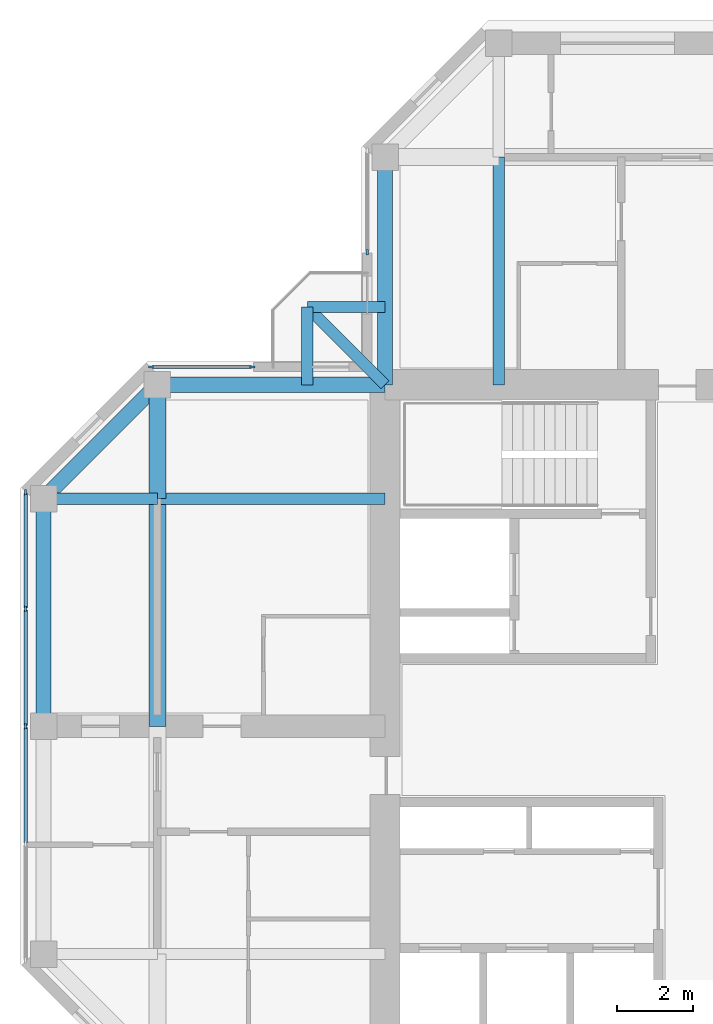
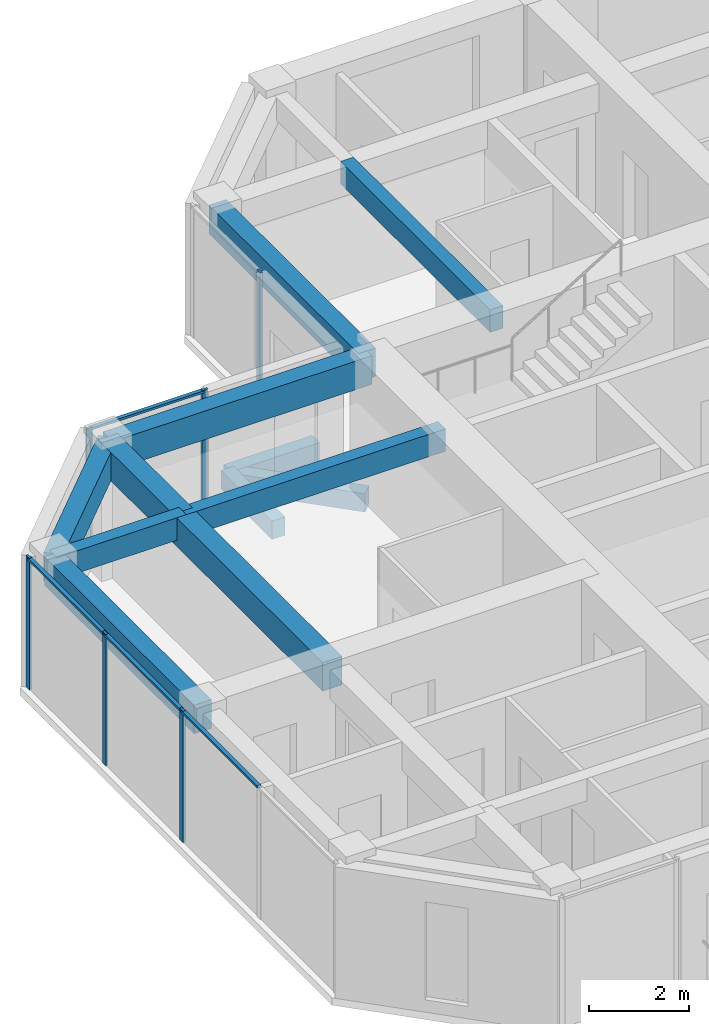
# One storey, part 4 of 13: 12 beams, 10 members, 3 elements without a shape of their own.
"""IFC4 building model written with IfcOpenShell, lengths in metres."""

from ifc_helpers import new_model, si_unit, direction, frame, origin, origin_2d, place, context, subcontext, project, spatial, rectangle, extrude, material, material_profile, profile_set, type_object, element, aggregate, save


model = new_model("IFC4")

# Units and contexts
model_context = context("Model", 3, precision=1e-05, world=origin(), true_north=direction((0.0, 1.0)))
body_context = subcontext(model_context, "Body", "Model", "MODEL_VIEW")
ifc_project = project(units=[si_unit("LENGTHUNIT", "METRE"), si_unit("AREAUNIT", "SQUARE_METRE"), si_unit("VOLUMEUNIT", "CUBIC_METRE"), si_unit("PLANEANGLEUNIT", "RADIAN"), si_unit("MASSUNIT", "GRAM", prefix="KILO")], contexts=[model_context])

# Site, building, storey
site_placement = place(None, origin())
site = spatial("IfcSite", under=ifc_project, at=site_placement, CompositionType="ELEMENT")
building_placement = place(site_placement, origin())
building = spatial("IfcBuilding", under=site, at=building_placement, Name="Torre Cruceta", CompositionType="ELEMENT")
storey_placement = place(building_placement, frame((0.0, 0.0, 281.5)))
storey = spatial("IfcBuildingStorey", under=building, at=storey_placement, Name="L73", CompositionType="ELEMENT", Elevation=281.5)

# Beams
ifc_material_1 = material(Name="Concrete G60 (fck 60 MPa)", Category="concrete")
ifc_material_profile_1 = material_profile(ifc_material_1, rectangle(XDim=0.300048828125, YDim=0.449951171875, at=origin_2d()), Name="RC 300X450")
ifc_profile_set_1 = profile_set([ifc_material_profile_1], Name="Concrete G60 (fck 60 MPa)")
beam_type_1 = type_object("IfcBeamType", Name="BALCONY CANTILEVER BEAM RC 300X450", PredefinedType="BEAM", material=ifc_profile_set_1)
beam_1_placement = place(storey_placement, frame((-9.0, 9.0, -0.405029296875), z_axis=(-0.707106781187, 0.707106781187, 0.0), x_axis=(-0.707106781187, -0.707106781187, 0.0)))
element("IfcBeam", 1, at=beam_1_placement, inside=storey, type_object=beam_type_1, Name="BB1 balcony beam L73 N", PredefinedType="BEAM", context=body_context, shape_type="SweptSolid", body=[
    extrude(rectangle(XDim=0.300048828125, YDim=0.449951171875, at=origin_2d()), origin(), (0.0, 0.0, 1.0), 2.89990234375),
])
for number, where, z_axis, x_axis, name in (
    (2, (-11.050537109375, 9.0, -0.405029296875), (0.0, 1.0, 0.0), (-1.0, 0.0, 0.0), "BB1 balcony edge beam L73 N-X"),
    (3, (-9.0, 11.050537109375, -0.405029296875), (-1.0, 0.0, 0.0), (0.0, -1.0, 0.0), "BB1 balcony edge beam L73 N-Y"),
):
    element("IfcBeam", number, at=place(storey_placement, frame(where, z_axis=z_axis, x_axis=x_axis)), inside=storey, type_object=beam_type_1, Name=name, PredefinedType="BEAM", context=body_context, shape_type="SweptSolid", body=[
        extrude(rectangle(XDim=0.300048828125, YDim=0.449951171875, at=origin_2d()), origin(), (0.0, 0.0, 1.0), 2.050537109375),
    ])
ifc_material_2 = material(Name="Concrete G60 (fck 60 MPa)", Category="concrete")
ifc_material_profile_2 = material_profile(ifc_material_2, rectangle(XDim=0.300048828125, YDim=0.550048828125, at=origin_2d()), Name="RC 300X550")
ifc_profile_set_2 = profile_set([ifc_material_profile_2], Name="Concrete G60 (fck 60 MPa)")
beam_type_2 = type_object("IfcBeamType", Name="COLUMN LINE BEAM RC 300X550", PredefinedType="BEAM", material=ifc_profile_set_2)
for number, where, z_axis, x_axis, name in (
    (4, (-6.0, 9.0, 2.945068359375), (0.0, 1.0, 0.0), (-1.0, 0.0, 0.0), "LB10 L73 N col+ 1"),
    (5, (-9.0, 6.0, 2.945068359375), (-1.0, 0.0, 0.0), (0.0, -1.0, 0.0), "LB10 L73 W col- 1"),
):
    element("IfcBeam", number, at=place(storey_placement, frame(where, z_axis=z_axis, x_axis=x_axis)), inside=storey, type_object=beam_type_2, Name=name, PredefinedType="BEAM", context=body_context, shape_type="SweptSolid", body=[
        extrude(rectangle(XDim=0.300048828125, YDim=0.550048828125, at=origin_2d()), origin(), (0.0, 0.0, 1.0), 6.0),
    ])
beam_2_placement = place(storey_placement, frame((-15.0, 6.0, 2.945068359375), z_axis=(-1.0, 0.0, 0.0), x_axis=(0.0, -1.0, 0.0)))
element("IfcBeam", 6, at=beam_2_placement, inside=storey, type_object=beam_type_2, Name="LB10 L73 W col- 2", PredefinedType="BEAM", context=body_context, shape_type="SweptSolid", body=[
    extrude(rectangle(XDim=0.300048828125, YDim=0.550048828125, at=origin_2d()), origin(), (0.0, 0.0, 1.0), 3.0),
])
ifc_material_3 = material(Name="Concrete G60 (fck 60 MPa)", Category="concrete")
ifc_material_profile_3 = material_profile(ifc_material_3, rectangle(XDim=0.449951171875, YDim=0.699951171875, at=origin_2d()), Name="RC 450X700")
ifc_profile_set_3 = profile_set([ifc_material_profile_3], Name="Concrete G60 (fck 60 MPa)")
beam_type_3 = type_object("IfcBeamType", Name="CROSS BEAM RC 450X700", PredefinedType="BEAM", material=ifc_profile_set_3)
beam_3_placement = place(storey_placement, frame((-15.0, 9.0, 2.8701171875), z_axis=(0.0, -1.0, 0.0), x_axis=(1.0, 0.0, 0.0)))
element("IfcBeam", 7, at=beam_3_placement, inside=storey, type_object=beam_type_3, Name="GB8 L73 W cross15 1", PredefinedType="BEAM", context=body_context, shape_type="SweptSolid", body=[
    extrude(rectangle(XDim=0.449951171875, YDim=0.699951171875, at=origin_2d()), origin(), (0.0, 0.0, 1.0), 3.0),
])
beam_4_placement = place(storey_placement, frame((-15.0, 6.0, 2.8701171875), z_axis=(0.0, -1.0, 0.0), x_axis=(1.0, 0.0, 0.0)))
element("IfcBeam", 8, at=beam_4_placement, inside=storey, type_object=beam_type_3, Name="GB8 L73 W cross15 2", PredefinedType="BEAM", context=body_context, shape_type="SweptSolid", body=[
    extrude(rectangle(XDim=0.449951171875, YDim=0.699951171875, at=origin_2d()), origin(), (0.0, 0.0, 1.0), 6.0),
])

# Curtain wall, member
ifc_material_4 = material(Name="Aluminium unitised curtain wall", Category="aluminium")
curtain_wall_type = type_object("IfcCurtainWallType", Name="CURTAIN WALL CW-E CO-LIVING TOP", PredefinedType="USERDEFINED", material=ifc_material_4)
curtain_wall_1_placement = place(storey_placement, origin())
curtain_wall_1 = element("IfcCurtainWall", 9, at=curtain_wall_1_placement, inside=storey, type_object=curtain_wall_type, Name="CW-E L73 N side 09", ObjectType="UNITISED", PredefinedType="USERDEFINED")
ifc_material_5 = material(Name="Aluminium mullion", Category="aluminium")
ifc_material_profile_4 = material_profile(ifc_material_5, rectangle(XDim=0.054931640625, YDim=0.139892578125, at=origin_2d()), Name="AL 55X140")
ifc_profile_set_4 = profile_set([ifc_material_profile_4], Name="Aluminium mullion")
member_type_1 = type_object("IfcMemberType", Name="CW-E MULLION 55X140", PredefinedType="MULLION", material=ifc_profile_set_4)
member_1_placement = place(storey_placement, frame((-9.469970703125, 12.49755859375, 0.0), z_axis=(0.0, 0.0, 1.0), x_axis=(1.0, 0.0, 0.0)))
member_1 = element("IfcMember", 10, at=member_1_placement, type_object=member_type_1, Name="CW-E mullion 2", PredefinedType="MULLION", context=body_context, shape_type="SweptSolid", body=[
    extrude(rectangle(XDim=0.054931640625, YDim=0.139892578125, at=origin_2d()), origin(), (0.0, 0.0, 1.0), 3.219970703125),
])
aggregate(curtain_wall_1, [member_1])

# Curtain wall, members
curtain_wall_2_placement = place(storey_placement, origin())
curtain_wall_2 = element("IfcCurtainWall", 11, at=curtain_wall_2_placement, inside=storey, type_object=curtain_wall_type, Name="CW-E L73 W side 10", ObjectType="UNITISED", PredefinedType="USERDEFINED")
member_2_placement = place(storey_placement, frame((-12.49755859375, 9.469970703125, 0.0), z_axis=(0.0, 0.0, 1.0), x_axis=(0.0, -1.0, 0.0)))
member_2 = element("IfcMember", 12, at=member_2_placement, type_object=member_type_1, Name="CW-E mullion 1", PredefinedType="MULLION", context=body_context, shape_type="SweptSolid", body=[
    extrude(rectangle(XDim=0.054931640625, YDim=0.139892578125, at=origin_2d()), origin(), (0.0, 0.0, 1.0), 3.219970703125),
])
member_3_placement = place(storey_placement, frame((-15.167236328125, 9.469970703125, 0.0), z_axis=(0.0, 0.0, 1.0), x_axis=(0.0, -1.0, 0.0)))
member_3 = element("IfcMember", 13, at=member_3_placement, type_object=member_type_1, Name="CW-E mullion 2", PredefinedType="MULLION", context=body_context, shape_type="SweptSolid", body=[
    extrude(rectangle(XDim=0.054931640625, YDim=0.139892578125, at=origin_2d()), origin(), (0.0, 0.0, 1.0), 3.219970703125),
])

curtain_wall_3_placement = place(storey_placement, origin())
curtain_wall_3 = element("IfcCurtainWall", 14, at=curtain_wall_3_placement, inside=storey, type_object=curtain_wall_type, Name="CW-E L73 W tip 12", ObjectType="UNITISED", PredefinedType="USERDEFINED")
member_4_placement = place(storey_placement, frame((-18.469970703125, 6.167236328125, 0.0), z_axis=(0.0, 0.0, 1.0), x_axis=(1.0, 0.0, 0.0)))
member_4 = element("IfcMember", 15, at=member_4_placement, type_object=member_type_1, Name="CW-E mullion 1", PredefinedType="MULLION", context=body_context, shape_type="SweptSolid", body=[
    extrude(rectangle(XDim=0.054931640625, YDim=0.139892578125, at=origin_2d()), origin(), (0.0, 0.0, 1.0), 3.219970703125),
])
member_5_placement = place(storey_placement, frame((-18.469970703125, 3.097412109375, 0.0), z_axis=(0.0, 0.0, 1.0), x_axis=(1.0, 0.0, 0.0)))
member_5 = element("IfcMember", 16, at=member_5_placement, type_object=member_type_1, Name="CW-E mullion 2", PredefinedType="MULLION", context=body_context, shape_type="SweptSolid", body=[
    extrude(rectangle(XDim=0.054931640625, YDim=0.139892578125, at=origin_2d()), origin(), (0.0, 0.0, 1.0), 3.219970703125),
])
member_6_placement = place(storey_placement, frame((-18.469970703125, 0.0, 0.0), z_axis=(0.0, 0.0, 1.0), x_axis=(1.0, 0.0, 0.0)))
member_6 = element("IfcMember", 17, at=member_6_placement, type_object=member_type_1, Name="CW-E mullion 3", PredefinedType="MULLION", context=body_context, shape_type="SweptSolid", body=[
    extrude(rectangle(XDim=0.054931640625, YDim=0.139892578125, at=origin_2d()), origin(), (0.0, 0.0, 1.0), 3.219970703125),
])

# Member
ifc_material_6 = material(Name="Aluminium transom", Category="aluminium")
ifc_material_profile_5 = material_profile(ifc_material_6, rectangle(XDim=0.090087890625, YDim=0.054931640625, at=origin_2d()), Name="AL 90X55")
ifc_profile_set_5 = profile_set([ifc_material_profile_5], Name="Aluminium transom")
member_type_2 = type_object("IfcMemberType", Name="CW-E TRANSOM 55X90", PredefinedType="USERDEFINED", material=ifc_profile_set_5)
member_7_placement = place(storey_placement, frame((-12.52490234375, 9.469970703125, 3.1923828125), z_axis=(-1.0, 0.0, 0.0), x_axis=(0.0, -1.0, 0.0)))
member_7 = element("IfcMember", 18, at=member_7_placement, type_object=member_type_2, Name="CW-E transom 1", ObjectType="TRANSOM", PredefinedType="USERDEFINED", context=body_context, shape_type="SweptSolid", body=[
    extrude(rectangle(XDim=0.090087890625, YDim=0.054931640625, at=origin_2d()), origin(), (0.0, 0.0, 1.0), 2.61474609375),
])

aggregate(curtain_wall_2, [member_2, member_3, member_7])

member_8_placement = place(storey_placement, frame((-18.469970703125, 6.1396484375, 3.1923828125), z_axis=(0.0, -1.0, 0.0), x_axis=(1.0, 0.0, 0.0)))
member_8 = element("IfcMember", 19, at=member_8_placement, type_object=member_type_2, Name="CW-E transom 1", ObjectType="TRANSOM", PredefinedType="USERDEFINED", context=body_context, shape_type="SweptSolid", body=[
    extrude(rectangle(XDim=0.090087890625, YDim=0.054931640625, at=origin_2d()), origin(), (0.0, 0.0, 1.0), 3.014892578125),
])

member_9_placement = place(storey_placement, frame((-18.469970703125, 3.06982421875, 3.1923828125), z_axis=(0.0, -1.0, 0.0), x_axis=(1.0, 0.0, 0.0)))
member_9 = element("IfcMember", 20, at=member_9_placement, type_object=member_type_2, Name="CW-E transom 2", ObjectType="TRANSOM", PredefinedType="USERDEFINED", context=body_context, shape_type="SweptSolid", body=[
    extrude(rectangle(XDim=0.090087890625, YDim=0.054931640625, at=origin_2d()), origin(), (0.0, 0.0, 1.0), 3.042236328125),
])

member_10_placement = place(storey_placement, frame((-18.469970703125, -0.027587890625, 3.1923828125), z_axis=(0.0, -1.0, 0.0), x_axis=(1.0, 0.0, 0.0)))
member_10 = element("IfcMember", 21, at=member_10_placement, type_object=member_type_2, Name="CW-E transom 3", ObjectType="TRANSOM", PredefinedType="USERDEFINED", context=body_context, shape_type="SweptSolid", body=[
    extrude(rectangle(XDim=0.090087890625, YDim=0.054931640625, at=origin_2d()), origin(), (0.0, 0.0, 1.0), 3.042236328125),
])

aggregate(curtain_wall_3, [member_4, member_5, member_6, member_8, member_9, member_10])

# Beams
ifc_material_7 = material(Name="Concrete G60 (fck 60 MPa)", Category="concrete")
ifc_material_profile_6 = material_profile(ifc_material_7, rectangle(XDim=0.39990234375, YDim=0.699951171875, at=origin_2d()), Name="RC 400X700")
ifc_profile_set_6 = profile_set([ifc_material_profile_6], Name="Concrete G60 (fck 60 MPa)")
beam_type_4 = type_object("IfcBeamType", Name="SPANDREL BEAM RC 400X700", PredefinedType="SPANDREL", material=ifc_profile_set_6)
for number, where, z_axis, x_axis, name in (
    (22, (-9.0, 9.0, 2.8701171875), (0.0, 1.0, 0.0), (-1.0, 0.0, 0.0), "SB8 L73 N side+ 1"),
    (23, (-9.0, 9.0, 2.8701171875), (-1.0, 0.0, 0.0), (0.0, -1.0, 0.0), "SB8 L73 W side- 1"),
):
    element("IfcBeam", number, at=place(storey_placement, frame(where, z_axis=z_axis, x_axis=x_axis)), inside=storey, type_object=beam_type_4, Name=name, PredefinedType="SPANDREL", context=body_context, shape_type="SweptSolid", body=[
        extrude(rectangle(XDim=0.39990234375, YDim=0.699951171875, at=origin_2d()), origin(), (0.0, 0.0, 1.0), 6.0),
    ])
beam_5_placement = place(storey_placement, frame((-15.0, 9.0, 2.8701171875), z_axis=(-0.707106781187, -0.707106781187, 0.0), x_axis=(0.707106781187, -0.707106781187, 0.0)))
element("IfcBeam", 24, at=beam_5_placement, inside=storey, type_object=beam_type_4, Name="SB8 L73 W side- 2", PredefinedType="SPANDREL", context=body_context, shape_type="SweptSolid", body=[
    extrude(rectangle(XDim=0.39990234375, YDim=0.699951171875, at=origin_2d()), origin(), (0.0, 0.0, 1.0), 4.24267578125),
])
beam_6_placement = place(storey_placement, frame((-18.0, 6.0, 2.8701171875), z_axis=(0.0, -1.0, 0.0), x_axis=(1.0, 0.0, 0.0)))
element("IfcBeam", 25, at=beam_6_placement, inside=storey, type_object=beam_type_4, Name="SB8 L73 W tip 1", PredefinedType="SPANDREL", context=body_context, shape_type="SweptSolid", body=[
    extrude(rectangle(XDim=0.39990234375, YDim=0.699951171875, at=origin_2d()), origin(), (0.0, 0.0, 1.0), 6.0),
])

save(model, "model.ifc")
